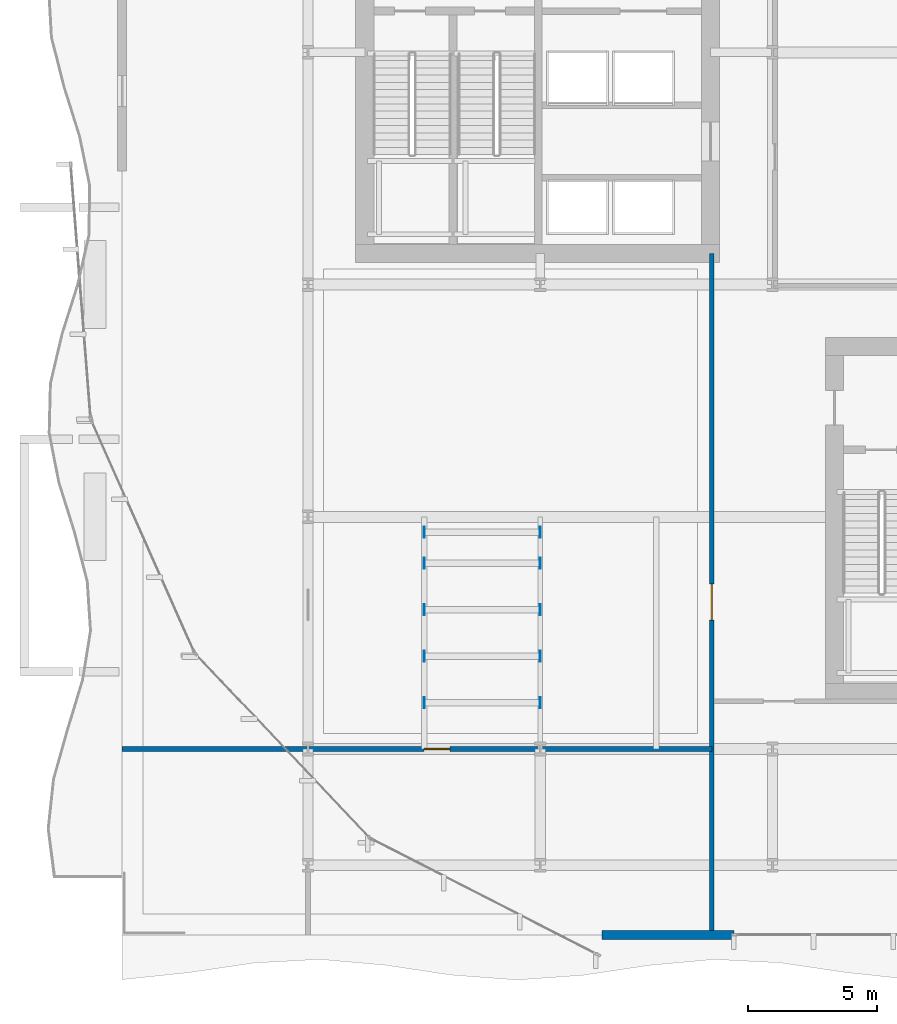
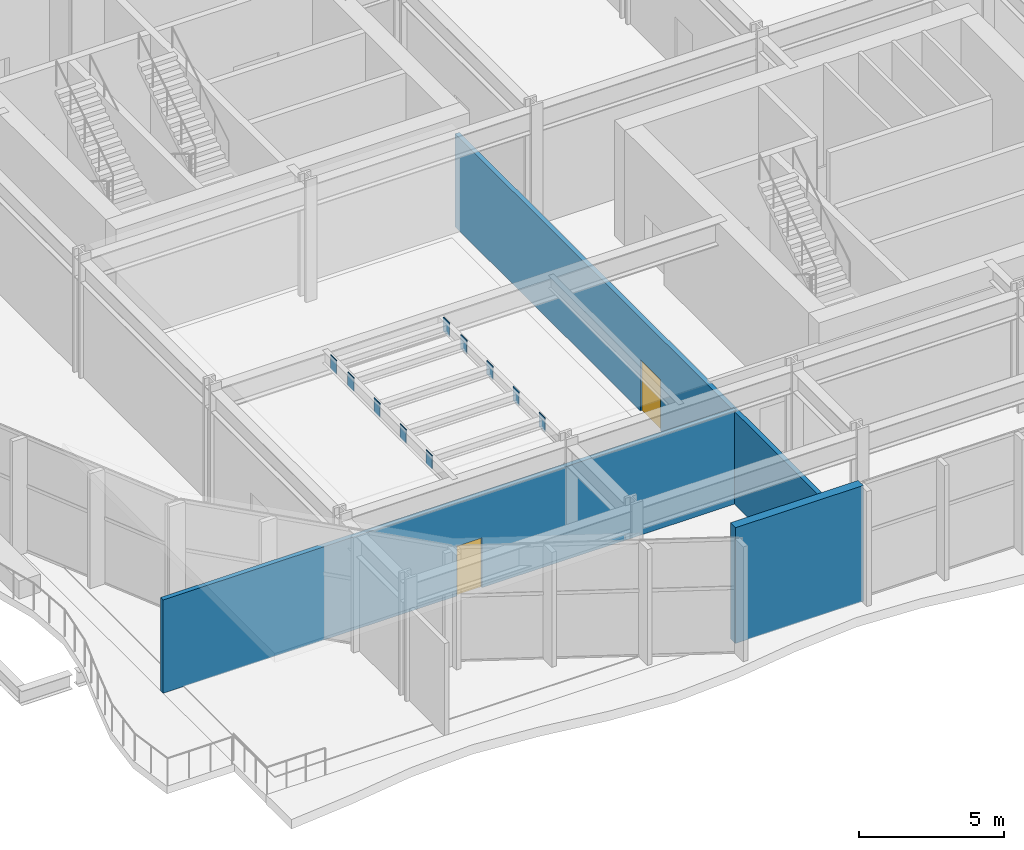
# One storey, part 22 of 33: 10 plates, 3 walls, 2 doors, 2 openings.
"""IFC4 building model written with IfcOpenShell, lengths in metres."""

from ifc_helpers import new_model, si_unit, direction, frame, frame_2d, origin, origin_2d, place, context, subcontext, project, spatial, rectangle, extrude, material, layer, layer_set, type_object, element, fill, save


model = new_model("IFC4")

# Units and contexts
model_context = context("Model", 3, precision=1e-05, world=origin(), true_north=direction((0.0, 1.0)))
body_context = subcontext(model_context, "Body", "Model", "MODEL_VIEW")
ifc_project = project(units=[si_unit("LENGTHUNIT", "METRE"), si_unit("AREAUNIT", "SQUARE_METRE"), si_unit("VOLUMEUNIT", "CUBIC_METRE"), si_unit("PLANEANGLEUNIT", "RADIAN"), si_unit("MASSUNIT", "GRAM", prefix="KILO")], contexts=[model_context])

# Site, building, storey
site_placement = place(None, origin())
site = spatial("IfcSite", under=ifc_project, at=site_placement, CompositionType="ELEMENT")
building_placement = place(site_placement, origin())
building = spatial("IfcBuilding", under=site, at=building_placement, Name="Solvaryn Broadcast Tower", CompositionType="ELEMENT")
storey_placement = place(building_placement, frame((0.0, 0.0, 5.800048828125)))
storey = spatial("IfcBuildingStorey", under=building, at=storey_placement, Name="L01", CompositionType="ELEMENT", Elevation=5.800048828125)

# Plates
ifc_material_1 = material(Name="Steel ASTM A572 Grade 50", Category="steel")
ifc_layer_1 = layer(ifc_material_1, 0.031982421875)
ifc_layer_set_1 = layer_set([ifc_layer_1], Name="PL-ENDCAP-32")
plate_type = type_object("IfcPlateType", Name="PL-ENDCAP-32", PredefinedType="USERDEFINED", material=ifc_layer_set_1)
for number, where, z_axis, x_axis, name in (
    (1, (13.5, 10.800048828125, 4.323486328125), (0.0, 0.0, 1.0), (1.0, 0.0, 0.0), "L01 Studio Strut End Plate A1"),
    (2, (18.0, 10.800048828125, 4.323486328125), (0.0, 0.0, 1.0), (1.0, 0.0, 0.0), "L01 Studio Strut End Plate B1"),
    (3, (13.5, 12.60009765625, 4.323486328125), (0.0, 0.0, 1.0), (1.0, 0.0, 0.0), "L01 Studio Strut End Plate A2"),
    (4, (18.0, 12.60009765625, 4.323486328125), (0.0, 0.0, 1.0), (1.0, 0.0, 0.0), "L01 Studio Strut End Plate B2"),
    (5, (13.5, 14.39990234375, 4.323486328125), (0.0, 0.0, 1.0), (1.0, 0.0, 0.0), "L01 Studio Strut End Plate A3"),
    (6, (18.0, 14.39990234375, 4.323486328125), (0.0, 0.0, 1.0), (1.0, 0.0, 0.0), "L01 Studio Strut End Plate B3"),
    (7, (13.5, 16.199951171875, 4.323486328125), (0.0, 0.0, 1.0), (1.0, 0.0, 0.0), "L01 Studio Strut End Plate A4"),
    (8, (18.0, 16.199951171875, 4.323486328125), (0.0, 0.0, 1.0), (1.0, 0.0, 0.0), "L01 Studio Strut End Plate B4"),
    (9, (13.5, 17.39990234375, 4.323486328125), (0.0, 0.0, 1.0), (1.0, 0.0, 0.0), "L01 Studio Strut End Plate A5"),
    (10, (18.0, 17.39990234375, 4.323486328125), (0.0, 0.0, 1.0), (1.0, 0.0, 0.0), "L01 Studio Strut End Plate B5"),
):
    element("IfcPlate", number, at=place(storey_placement, frame(where, z_axis=z_axis, x_axis=x_axis)), inside=storey, type_object=plate_type, Name=name, ObjectType="FLANGE_PLATE", PredefinedType="USERDEFINED", context=body_context, shape_type="SweptSolid", body=[
        extrude(rectangle(XDim=0.031982421875, YDim=0.419921875, at=origin_2d()), origin(), (0.0, 0.0, 1.0), 0.580078125),
    ])

# Wall
ifc_material_2 = material(Name="Concrete f'c 50 MPa", Category="concrete")
ifc_layer_2 = layer(ifc_material_2, 0.35009765625)
ifc_layer_set_2 = layer_set([ifc_layer_2], Name="EW-STUDIO-350")
wall_type_1 = type_object("IfcWallType", Name="EW-STUDIO-350", PredefinedType="SOLIDWALL", material=ifc_layer_set_2)
wall_1_placement = place(storey_placement, frame((25.5, 1.800048828125, 0.0), z_axis=(0.0, 0.0, 1.0), x_axis=(-1.0, 0.0, 0.0)))
element("IfcWall", 11, at=wall_1_placement, inside=storey, type_object=wall_type_1, Name="L01 Podium South Studio Pier Wall", PredefinedType="SOLIDWALL", context=body_context, shape_type="SweptSolid", body=[
    extrude(rectangle(XDim=5.10009765625, YDim=0.35009765625, at=frame_2d((2.550048828125, 0.0))), origin(), (0.0, 0.0, 1.0), 4.8798828125),
])

# Wall, opening, door
ifc_material_3 = material(Name="Acoustic Metal-Stud Gypsum Partition")
ifc_layer_3 = layer(ifc_material_3, 0.179931640625)
ifc_layer_set_3 = layer_set([ifc_layer_3], Name="IW-PART-180")
wall_type_2 = type_object("IfcWallType", Name="IW-PART-180", PredefinedType="PARTITIONING", material=ifc_layer_set_3)
wall_2_placement = place(storey_placement, frame((24.64990234375, 1.800048828125, 0.0), z_axis=(0.0, 0.0, 1.0), x_axis=(0.0, 1.0, 0.0)))
wall_2 = element("IfcWall", 12, at=wall_2_placement, inside=storey, type_object=wall_type_2, Name="L01 Interior Partition IW-L01-PW1", PredefinedType="PARTITIONING", context=body_context, shape_type="SweptSolid", body=[
    extrude(rectangle(XDim=26.39990234375, YDim=0.179931640625, at=frame_2d((13.199951171875, 0.0))), origin(), (0.0, 0.0, 1.0), 3.911865234375),
])
opening_1_placement = place(wall_2_placement, frame((12.199951171875, 0.0, 0.0)))
opening_1 = element("IfcOpeningElement", 13, at=opening_1_placement, cuts=wall_2, Name="Opening ID05", PredefinedType="OPENING", context=body_context, shape_type="SweptSolid", body=[
    extrude(rectangle(XDim=1.39990234375, YDim=2.14990234375, at=frame_2d((0.699951171875, 1.074951171875))), frame((0.0, 0.099853515625, 0.0), z_axis=(0.0, -1.0, 0.0), x_axis=(1.0, 0.0, 0.0)), (0.0, 0.0, 1.0), 0.199951171875),
])
ifc_material_4 = material(Name="Flush Acoustic Steel and Timber Door Assembly", Category="steel")
door_type_1 = type_object("IfcDoorType", Name="ID-05-1400X2150", OperationType="NOTDEFINED", PredefinedType="DOOR", material=ifc_material_4)
door_1_placement = place(opening_1_placement, origin())
door_1 = element("IfcDoor", 14, at=door_1_placement, inside=storey, type_object=door_type_1, Name="L01 Door DR-L01-PD1", OperationType="DOUBLE_DOOR_SINGLE_SWING", OverallHeight=2.14990234375, OverallWidth=1.39990234375, PredefinedType="DOOR", context=body_context, shape_type="SweptSolid", body=[
    extrude(rectangle(XDim=1.39990234375, YDim=2.14990234375, at=frame_2d((0.699951171875, 1.074951171875))), frame((0.0, 0.02490234375, 0.0), z_axis=(0.0, -1.0, 0.0), x_axis=(1.0, 0.0, 0.0)), (0.0, 0.0, 1.0), 0.050048828125),
])
fill(opening_1, door_1)

wall_3_placement = place(storey_placement, frame((1.800048828125, 9.0, 0.0), z_axis=(0.0, 0.0, 1.0), x_axis=(1.0, 0.0, 0.0)))
wall_3 = element("IfcWall", 15, at=wall_3_placement, inside=storey, type_object=wall_type_2, Name="L01 Interior Partition IW-L01-PWS", PredefinedType="PARTITIONING", context=body_context, shape_type="SweptSolid", body=[
    extrude(rectangle(XDim=22.849853515625, YDim=0.179931640625, at=frame_2d((11.4248046875, 0.0))), origin(), (0.0, 0.0, 1.0), 3.932861328125),
])
opening_2_placement = place(wall_3_placement, frame((11.699951171875, 0.0, 0.0)))
opening_2 = element("IfcOpeningElement", 16, at=opening_2_placement, cuts=wall_3, Name="Opening ID02", PredefinedType="OPENING", context=body_context, shape_type="SweptSolid", body=[
    extrude(rectangle(XDim=1.0, YDim=2.10009765625, at=frame_2d((0.5, 1.050048828125))), frame((0.0, 0.099853515625, 0.0), z_axis=(0.0, -1.0, 0.0), x_axis=(1.0, 0.0, 0.0)), (0.0, 0.0, 1.0), 0.199951171875),
])
ifc_material_5 = material(Name="Flush Acoustic Steel and Timber Door Assembly", Category="steel")
door_type_2 = type_object("IfcDoorType", Name="ID-02-1000X2100", OperationType="NOTDEFINED", PredefinedType="DOOR", material=ifc_material_5)
door_2_placement = place(opening_2_placement, origin())
door_2 = element("IfcDoor", 17, at=door_2_placement, inside=storey, type_object=door_type_2, Name="L01 Door DR-L01-PDS", OperationType="SINGLE_SWING_LEFT", OverallHeight=2.10009765625, OverallWidth=1.0, PredefinedType="DOOR", context=body_context, shape_type="SweptSolid", body=[
    extrude(rectangle(XDim=1.0, YDim=2.10009765625, at=frame_2d((0.5, 1.050048828125))), frame((0.0, 0.02490234375, 0.0), z_axis=(0.0, -1.0, 0.0), x_axis=(1.0, 0.0, 0.0)), (0.0, 0.0, 1.0), 0.050048828125),
])
fill(opening_2, door_2)

save(model, "model.ifc")
